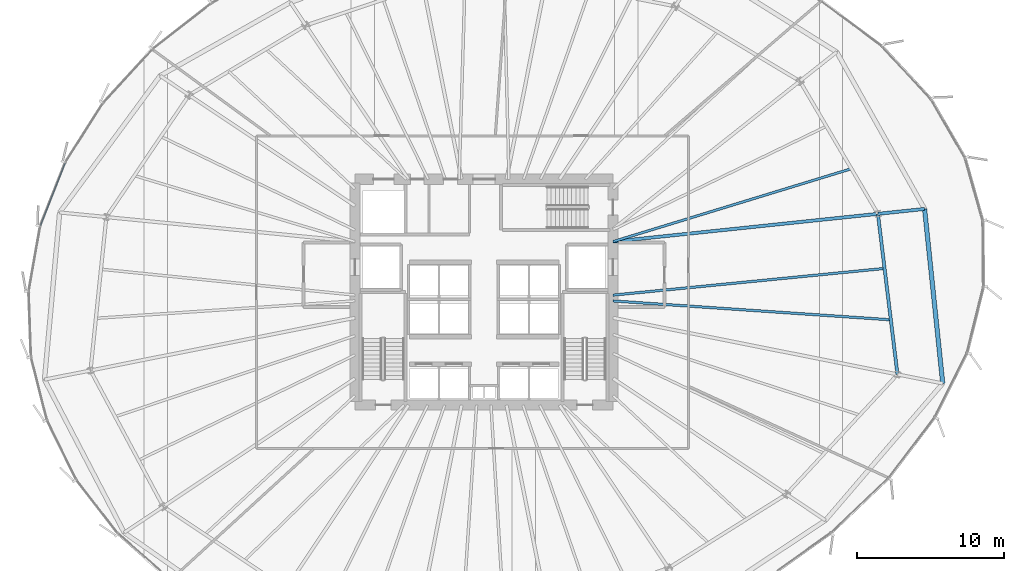
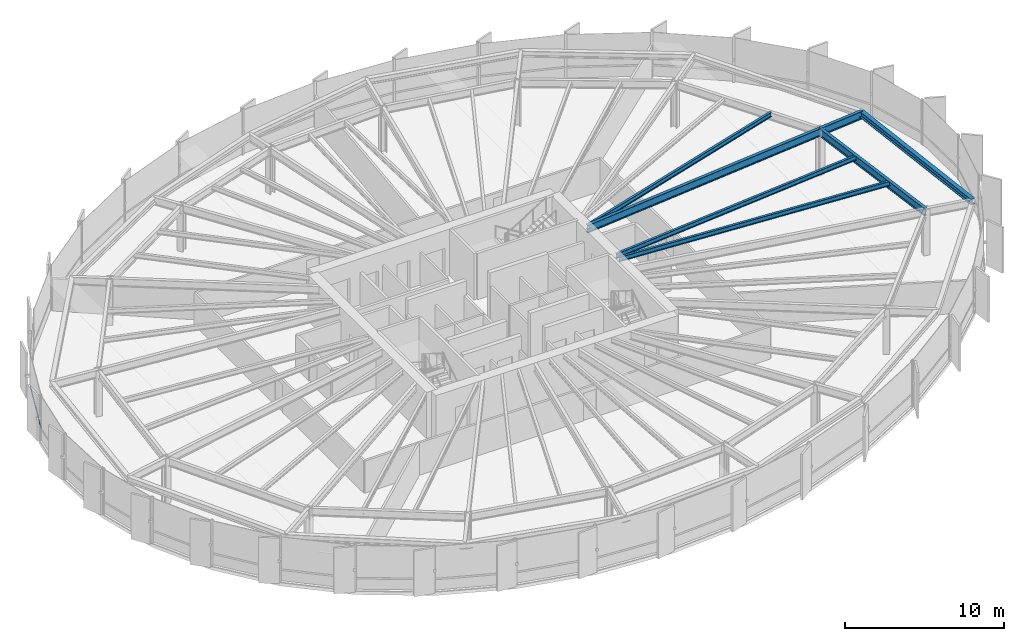
# One storey, part 17 of 38: 7 beams, 1 member, 1 element without a shape of its own.
"""IFC4 building model written with IfcOpenShell, lengths in metres."""

from ifc_helpers import new_model, si_unit, direction, frame, origin, origin_2d, place, context, subcontext, project, spatial, hollow_rectangle, i_section, extrude, source, transform, mapped, material, layer, layer_set, material_profile, profile_set, type_object, element, aggregate, save


model = new_model("IFC4")

# Units and contexts
model_context = context("Model", 3, precision=1e-05, world=origin(), true_north=direction((0.0, 1.0)))
body_context = subcontext(model_context, "Body", "Model", "MODEL_VIEW")
ifc_project = project(units=[si_unit("LENGTHUNIT", "METRE"), si_unit("AREAUNIT", "SQUARE_METRE"), si_unit("VOLUMEUNIT", "CUBIC_METRE"), si_unit("PLANEANGLEUNIT", "RADIAN"), si_unit("MASSUNIT", "GRAM", prefix="KILO"), si_unit("THERMODYNAMICTEMPERATUREUNIT", "KELVIN")], contexts=[model_context])

# Site, building, storey
site_placement = place(None, origin())
site = spatial("IfcSite", under=ifc_project, at=site_placement, CompositionType="ELEMENT")
building_placement = place(site_placement, origin())
building = spatial("IfcBuilding", under=site, at=building_placement, Name="Kethvar Cultural Tower", CompositionType="ELEMENT")
storey_placement = place(building_placement, frame((0.0, 0.0, 63.800048828125)))
storey = spatial("IfcBuildingStorey", under=building, at=storey_placement, Name="L15", CompositionType="ELEMENT", Elevation=63.800048828125)

# Beams
ifc_material_1 = material(Name="Steel S355J2", Category="steel")
ifc_material_profile_1 = material_profile(ifc_material_1, i_section(OverallWidth=0.219970703125, OverallDepth=0.60009765625, WebThickness=0.011962890625, FlangeThickness=0.01904296875, FilletRadius=0.02392578125, at=origin_2d()), Name="Steel S355J2 — IPE600")
ifc_profile_set_1 = profile_set([ifc_material_profile_1], Name="Steel S355J2 — IPE600")
beam_type_1 = type_object("IfcBeamType", Name="BM-IPE600", PredefinedType="BEAM", material=ifc_profile_set_1)
shared_shape_1 = source(origin(), body_context, "Body", "SweptSolid", [
    extrude(i_section(OverallWidth=0.219970703125, OverallDepth=0.60009765625, WebThickness=0.011962890625, FlangeThickness=0.01904296875, FilletRadius=0.02392578125, at=origin_2d()), origin(), (0.0, 0.0, 1.0), 18.155517578125),
])
beam_1_placement = place(storey_placement, frame((55.60009765625, 31.25, 3.248046875), z_axis=(0.994554710129, 0.104215778847, 0.0), x_axis=(-0.104215778847, 0.994554710129, 0.0)))
element("IfcBeam", 1, at=beam_1_placement, inside=storey, type_object=beam_type_1, Name="L15 Primary Radial Beam RB-01", PredefinedType="BEAM", context=body_context, shape_type="MappedRepresentation", body=[
    mapped(shared_shape_1, transform((0.0, 0.0, 0.0), scale=1.0)),
])
shared_shape_2 = source(origin(), body_context, "Body", "SweptSolid", [
    extrude(i_section(OverallWidth=0.219970703125, OverallDepth=0.60009765625, WebThickness=0.011962890625, FlangeThickness=0.01904296875, FilletRadius=0.02392578125, at=origin_2d()), origin(), (0.0, 0.0, 1.0), 3.199951171875),
])
beam_2_placement = place(storey_placement, frame((73.65673828125, 33.14208984375, 3.248046875), z_axis=(0.994554671638, 0.104216146169, 0.0), x_axis=(-0.104216146169, 0.994554671638, 0.0)))
element("IfcBeam", 2, at=beam_2_placement, inside=storey, type_object=beam_type_1, Name="L15 Perimeter Cantilever Beam RC-01", PredefinedType="BEAM", context=body_context, shape_type="MappedRepresentation", body=[
    mapped(shared_shape_2, transform((0.0, 0.0, 0.0), scale=1.0)),
])
ifc_material_profile_2 = material_profile(ifc_material_1, i_section(OverallWidth=0.169921875, OverallDepth=0.360107421875, WebThickness=0.008056640625, FlangeThickness=0.0126953125, FilletRadius=0.01806640625, at=origin_2d()), Name="Steel S355J2 — IPE360")
ifc_profile_set_2 = profile_set([ifc_material_profile_2], Name="Steel S355J2 — IPE360")
beam_type_2 = type_object("IfcBeamType", Name="BM-J360", PredefinedType="JOIST", material=ifc_profile_set_2)
shared_shape_3 = source(origin(), body_context, "Body", "SweptSolid", [
    extrude(i_section(OverallWidth=0.169921875, OverallDepth=0.360107421875, WebThickness=0.008056640625, FlangeThickness=0.0126953125, FilletRadius=0.01806640625, at=origin_2d()), origin(), (0.0, 0.0, 1.0), 16.990478515625),
])
beam_3_placement = place(storey_placement, frame((55.60009765625, 31.25, 3.367919921875), z_axis=(0.956287408668, 0.292428439149, 0.0), x_axis=(-0.292428439149, 0.956287408668, 0.0)))
element("IfcBeam", 3, at=beam_3_placement, inside=storey, type_object=beam_type_2, Name="L15 Composite Floor Joist J-01A", PredefinedType="JOIST", context=body_context, shape_type="MappedRepresentation", body=[
    mapped(shared_shape_3, transform((0.0, 0.0, 0.0), scale=1.0)),
])
shared_shape_4 = source(origin(), body_context, "Body", "SweptSolid", [
    extrude(i_section(OverallWidth=0.219970703125, OverallDepth=0.60009765625, WebThickness=0.011962890625, FlangeThickness=0.01904296875, FilletRadius=0.02392578125, at=origin_2d()), origin(), (0.0, 0.0, 1.0), 11.03076171875),
])
beam_4_placement = place(storey_placement, frame((74.9912109375, 22.1923828125, 3.248046875), z_axis=(-0.120977779442, 0.992655215511, 0.0), x_axis=(-0.992655215511, -0.120977779442, 0.0)))
element("IfcBeam", 4, at=beam_4_placement, inside=storey, type_object=beam_type_1, Name="L15 Column Ring Tie Beam CR-16", PredefinedType="BEAM", context=body_context, shape_type="MappedRepresentation", body=[
    mapped(shared_shape_4, transform((0.0, 0.0, 0.0), scale=1.0)),
])
shared_shape_5 = source(origin(), body_context, "Body", "SweptSolid", [
    extrude(i_section(OverallWidth=0.169921875, OverallDepth=0.360107421875, WebThickness=0.008056640625, FlangeThickness=0.0126953125, FilletRadius=0.01806640625, at=origin_2d()), origin(), (0.0, 0.0, 1.0), 18.981201171875),
])
beam_5_placement = place(storey_placement, frame((55.60009765625, 27.2021484375, 3.367919921875), z_axis=(0.997699141247, -0.067796928805, 0.0), x_axis=(0.067796928805, 0.997699141247, 0.0)))
element("IfcBeam", 5, at=beam_5_placement, inside=storey, type_object=beam_type_2, Name="L15 Composite Floor Joist J-16A", PredefinedType="JOIST", context=body_context, shape_type="MappedRepresentation", body=[
    mapped(shared_shape_5, transform((0.0, 0.0, 0.0), scale=1.0)),
])
shared_shape_6 = source(origin(), body_context, "Body", "SweptSolid", [
    extrude(i_section(OverallWidth=0.169921875, OverallDepth=0.360107421875, WebThickness=0.008056640625, FlangeThickness=0.0126953125, FilletRadius=0.01806640625, at=origin_2d()), origin(), (0.0, 0.0, 1.0), 18.599609375),
])
beam_6_placement = place(storey_placement, frame((55.60009765625, 27.60009765625, 3.367919921875), z_axis=(0.995205855092, 0.097802382335, 0.0), x_axis=(-0.097802382335, 0.995205855092, 0.0)))
element("IfcBeam", 6, at=beam_6_placement, inside=storey, type_object=beam_type_2, Name="L15 Composite Floor Joist J-16B", PredefinedType="JOIST", context=body_context, shape_type="MappedRepresentation", body=[
    mapped(shared_shape_6, transform((0.0, 0.0, 0.0), scale=1.0)),
])
ifc_material_profile_3 = material_profile(ifc_material_1, i_section(OverallWidth=0.300048828125, OverallDepth=0.449951171875, WebThickness=0.013916015625, FlangeThickness=0.02587890625, FilletRadius=0.027099609375, at=origin_2d()), Name="Steel S355J2 — HEB450")
ifc_profile_set_3 = profile_set([ifc_material_profile_3], Name="Steel S355J2 — HEB450")
beam_type_3 = type_object("IfcBeamType", Name="BM-SP450", PredefinedType="SPANDREL", material=ifc_profile_set_3)
shared_shape_7 = source(origin(), body_context, "Body", "SweptSolid", [
    extrude(i_section(OverallWidth=0.300048828125, OverallDepth=0.449951171875, WebThickness=0.013916015625, FlangeThickness=0.02587890625, FilletRadius=0.027099609375, at=origin_2d()), origin(), (0.0, 0.0, 1.0), 11.961181640625),
])
beam_7_placement = place(storey_placement, frame((78.076416015625, 21.57861328125, 3.322998046875), z_axis=(-0.103423512329, 0.994637409862, 0.0), x_axis=(-0.994637409862, -0.103423512329, 0.0)))
element("IfcBeam", 7, at=beam_7_placement, inside=storey, type_object=beam_type_3, Name="L15 Perimeter Spandrel Beam SP-16", PredefinedType="SPANDREL", context=body_context, shape_type="MappedRepresentation", body=[
    mapped(shared_shape_7, transform((0.0, 0.0, 0.0), scale=1.0)),
])

# Curtain wall, member
ifc_material_2 = material(Name="Aluminium 6063-T6", Category="aluminium")
ifc_layer = layer(ifc_material_2, 0.179931640625, Name="Aluminium 6063-T6", Category="aluminium")
ifc_layer_set = layer_set([ifc_layer], Name="Aluminium 6063-T6 (180 mm)")
curtain_wall_type = type_object("IfcCurtainWallType", Name="CW-SYS-02-Z1", PredefinedType="NOTDEFINED", material=ifc_layer_set)
curtain_wall_placement = place(storey_placement, origin())
curtain_wall = element("IfcCurtainWall", 8, at=curtain_wall_placement, inside=storey, type_object=curtain_wall_type, Name="L15 Curtain Wall Run 03", PredefinedType="NOTDEFINED")
ifc_material_profile_4 = material_profile(ifc_material_2, hollow_rectangle(XDim=0.054931640625, YDim=0.1201171875, WallThickness=0.00390625, at=origin_2d()), Name="Aluminium 6063-T6 — RHS120x55x4")
ifc_profile_set_4 = profile_set([ifc_material_profile_4], Name="Aluminium 6063-T6 — RHS120x55x4")
member_type = type_object("IfcMemberType", Name="CW-SYS-02-Z1-TRN", PredefinedType="USERDEFINED", material=ifc_profile_set_4)
shared_shape_8 = source(origin(), body_context, "Body", "SweptSolid", [
    extrude(hollow_rectangle(XDim=0.054931640625, YDim=0.1201171875, WallThickness=0.00390625, at=origin_2d()), origin(), (0.0, 0.0, 1.0), 4.572021484375),
])
member_placement = place(storey_placement, frame((18.237060546875, 36.5986328125, 0.949951171875), z_axis=(-0.367013338736, -0.930215678856, 0.0), x_axis=(0.930215678856, -0.367013338736, 0.0)))
member = element("IfcMember", 9, at=member_placement, type_object=member_type, Name="CW-L15-R03 Transom 4", ObjectType="TRANSOM", PredefinedType="USERDEFINED", context=body_context, shape_type="MappedRepresentation", body=[
    mapped(shared_shape_8, transform((0.0, 0.0, 0.0), scale=1.0)),
])
aggregate(curtain_wall, [member])

save(model, "model.ifc")
